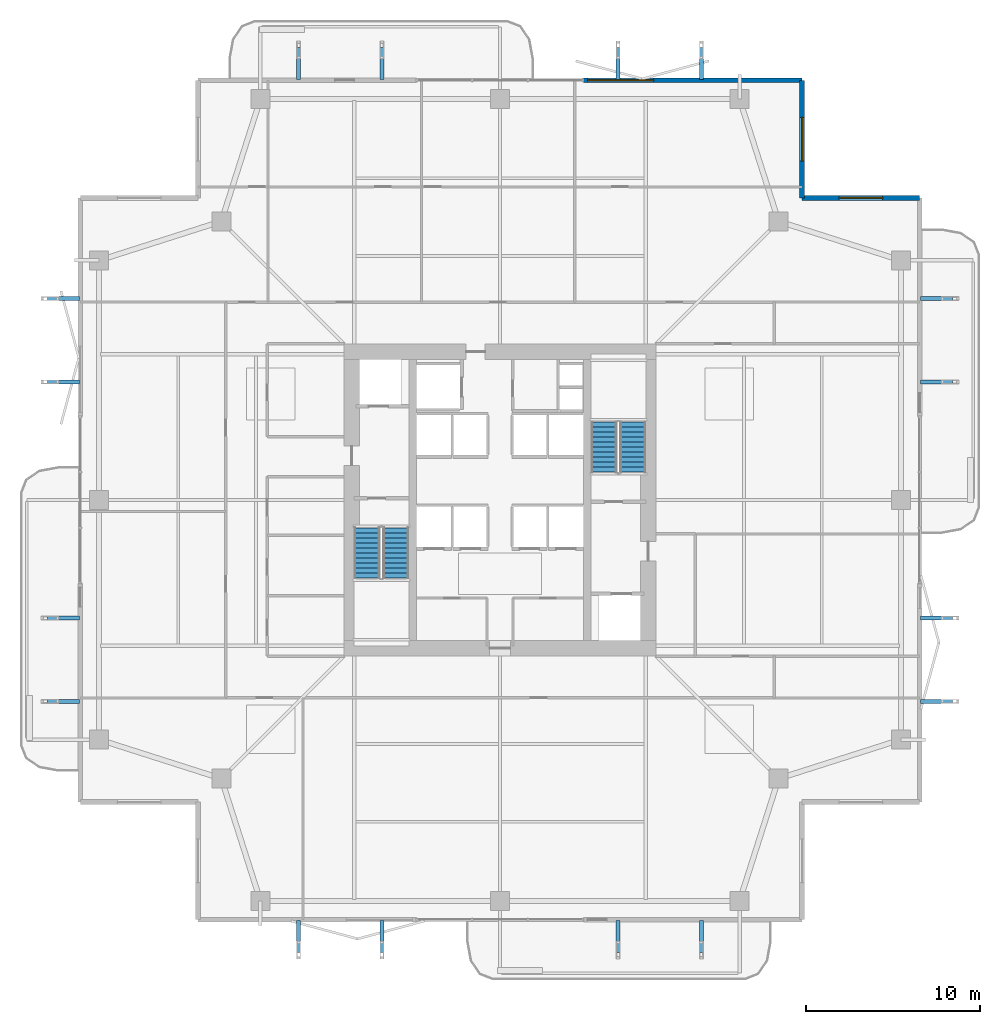
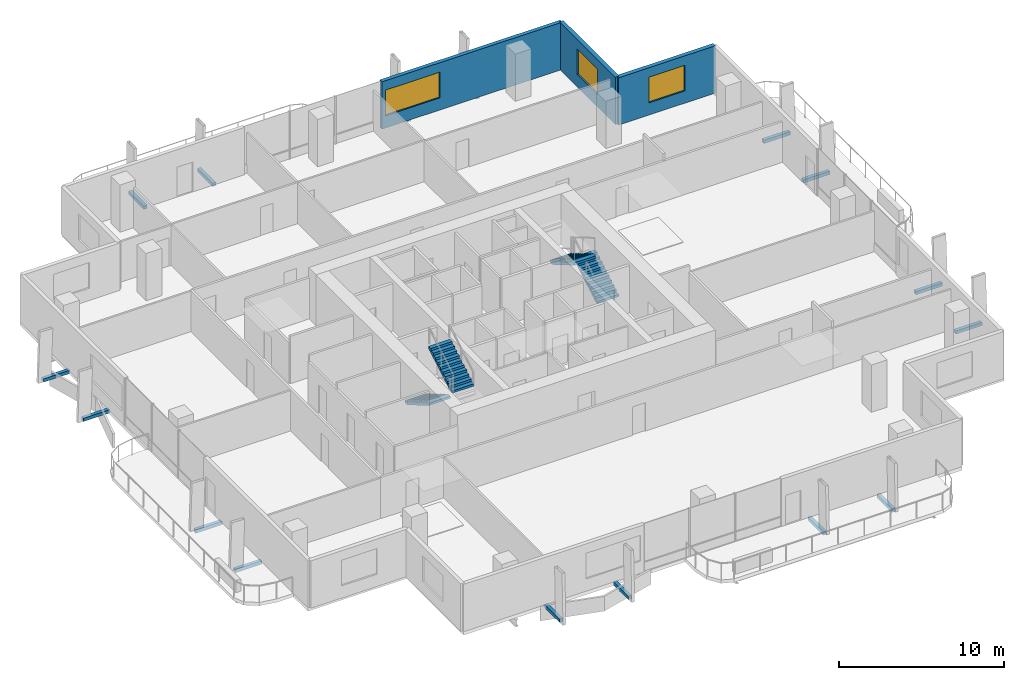
# One storey, part 21 of 24: 16 discrete accessories, 4 stair flights, 3 walls, 3 windows, 3 openings, 2 elements without a shape of their own.
"""IFC4 building model written with IfcOpenShell, lengths in metres."""

from ifc_helpers import new_model, si_unit, direction, frame, frame_2d, origin, origin_2d, place, context, subcontext, project, spatial, polyline, rectangle, outline, extrude, material, layer, layer_set, type_object, element, fill, aggregate, save


model = new_model("IFC4")

# Units and contexts
model_context = context("Model", 3, precision=1e-05, world=origin(), true_north=direction((0.0, 1.0)))
body_context = subcontext(model_context, "Body", "Model", "MODEL_VIEW")
ifc_project = project(units=[si_unit("LENGTHUNIT", "METRE"), si_unit("AREAUNIT", "SQUARE_METRE"), si_unit("VOLUMEUNIT", "CUBIC_METRE"), si_unit("PLANEANGLEUNIT", "RADIAN"), si_unit("MASSUNIT", "GRAM", prefix="KILO")], contexts=[model_context])

# Site, building, storey
site_placement = place(None, origin())
site = spatial("IfcSite", under=ifc_project, at=site_placement, CompositionType="ELEMENT")
building_placement = place(site_placement, origin())
building = spatial("IfcBuilding", under=site, at=building_placement, Name="Belovzor Exchange Tower", CompositionType="ELEMENT")
storey_placement = place(building_placement, frame((0.0, 0.0, 145.800048828125)))
storey = spatial("IfcBuildingStorey", under=building, at=storey_placement, Name="L35", CompositionType="ELEMENT", Elevation=145.800048828125)

# Wall, opening, window
ifc_material_1 = material(Name="Precast concrete C40/50", Category="concrete")
ifc_layer_1 = layer(ifc_material_1, 0.280029296875)
ifc_layer_set_1 = layer_set([ifc_layer_1], Name="Precast concrete C40/50")
wall_type_1 = type_object("IfcWallType", Name="Precast Concrete Notched Corner Frame Wall 280", PredefinedType="SOLIDWALL", material=ifc_layer_set_1)
wall_1_placement = place(storey_placement, frame((46.199951171875, 52.969970703125, 0.0), z_axis=(0.0, 0.0, 1.0), x_axis=(0.0, -1.0, 0.0)))
wall_1 = element("IfcWall", 1, at=wall_1_placement, inside=storey, type_object=wall_type_1, Name="W-CRN280 Precast Concrete Notched Corner Frame Wall 280 L35", PredefinedType="SOLIDWALL", context=body_context, shape_type="SweptSolid", body=[
    extrude(rectangle(XDim=6.77001953125, YDim=0.280029296875, at=frame_2d((3.385009765625, 0.0))), origin(), (0.0, 0.0, 1.0), 3.494873046875),
])
opening_1_placement = place(wall_1_placement, frame((2.135009765625, 0.0, 0.89990234375)))
opening_1 = element("IfcOpeningElement", 2, at=opening_1_placement, cuts=wall_1, Name="Opening WN-CRN250", PredefinedType="OPENING", context=body_context, shape_type="SweptSolid", body=[
    extrude(rectangle(XDim=2.5, YDim=1.89990234375, at=frame_2d((1.25, 0.949951171875))), frame((0.0, 0.14990234375, 0.0), z_axis=(0.0, -1.0, 0.0), x_axis=(1.0, 0.0, 0.0)), (0.0, 0.0, 1.0), 0.300048828125),
])
ifc_material_2 = material(Name="Thermally Broken Aluminium and Triple Glazing", Category="aluminium")
window_type_1 = type_object("IfcWindowType", Name="Streamline Moderne Corner Wrap Ribbon Window 2500x1900", PartitioningType="SINGLE_PANEL", PredefinedType="WINDOW", material=ifc_material_2)
window_1_placement = place(opening_1_placement, origin())
window_1 = element("IfcWindow", 3, at=window_1_placement, inside=storey, type_object=window_type_1, Name="WN-CRN250 Streamline Moderne Corner Wrap Ribbon Window 2500x1900", OverallHeight=1.89990234375, OverallWidth=2.5, PartitioningType="SINGLE_PANEL", PredefinedType="WINDOW", context=body_context, shape_type="SweptSolid", body=[
    extrude(rectangle(XDim=2.5, YDim=1.89990234375, at=frame_2d((1.25, 0.949951171875))), frame((0.0, 0.030029296875, 0.0), z_axis=(0.0, -1.0, 0.0), x_axis=(1.0, 0.0, 0.0)), (0.0, 0.0, 1.0), 0.06005859375),
])
fill(opening_1, window_1)

wall_2_placement = place(storey_placement, frame((46.199951171875, 46.199951171875, 0.0), z_axis=(0.0, 0.0, 1.0), x_axis=(1.0, 0.0, 0.0)))
wall_2 = element("IfcWall", 4, at=wall_2_placement, inside=storey, type_object=wall_type_1, Name="W-CRN280 Precast Concrete Notched Corner Frame Wall 280 L35", PredefinedType="SOLIDWALL", context=body_context, shape_type="SweptSolid", body=[
    extrude(rectangle(XDim=6.77001953125, YDim=0.280029296875, at=frame_2d((3.385009765625, 0.0))), origin(), (0.0, 0.0, 1.0), 3.494873046875),
])
opening_2_placement = place(wall_2_placement, frame((2.135009765625, 0.0, 0.89990234375)))
opening_2 = element("IfcOpeningElement", 5, at=opening_2_placement, cuts=wall_2, Name="Opening WN-CRN250", PredefinedType="OPENING", context=body_context, shape_type="SweptSolid", body=[
    extrude(rectangle(XDim=2.5, YDim=1.89990234375, at=frame_2d((1.25, 0.949951171875))), frame((0.0, 0.14990234375, 0.0), z_axis=(0.0, -1.0, 0.0), x_axis=(1.0, 0.0, 0.0)), (0.0, 0.0, 1.0), 0.300048828125),
])
window_2_placement = place(opening_2_placement, origin())
window_2 = element("IfcWindow", 6, at=window_2_placement, inside=storey, type_object=window_type_1, Name="WN-CRN250 Streamline Moderne Corner Wrap Ribbon Window 2500x1900", OverallHeight=1.89990234375, OverallWidth=2.5, PartitioningType="SINGLE_PANEL", PredefinedType="WINDOW", context=body_context, shape_type="SweptSolid", body=[
    extrude(rectangle(XDim=2.5, YDim=1.89990234375, at=frame_2d((1.25, 0.949951171875))), frame((0.0, 0.030029296875, 0.0), z_axis=(0.0, -1.0, 0.0), x_axis=(1.0, 0.0, 0.0)), (0.0, 0.0, 1.0), 0.06005859375),
])
fill(opening_2, window_2)

ifc_material_3 = material(Name="Precast concrete C40/50", Category="concrete")
ifc_layer_2 = layer(ifc_material_3, 0.260009765625)
ifc_layer_set_2 = layer_set([ifc_layer_2], Name="Precast concrete C40/50")
wall_type_2 = type_object("IfcWallType", Name="Precast Concrete Perimeter Loggia Frame Wall 260", PredefinedType="SOLIDWALL", material=ifc_layer_set_2)
wall_3_placement = place(storey_placement, frame((33.60009765625, 52.969970703125, 0.0), z_axis=(0.0, 0.0, 1.0), x_axis=(1.0, 0.0, 0.0)))
wall_3 = element("IfcWall", 7, at=wall_3_placement, inside=storey, type_object=wall_type_2, Name="W-EXT260 Precast Concrete Perimeter Loggia Frame Wall 260 L35", PredefinedType="SOLIDWALL", context=body_context, shape_type="SweptSolid", body=[
    extrude(rectangle(XDim=12.599853515625, YDim=0.260009765625, at=frame_2d((6.2998046875, 0.0))), origin(), (0.0, 0.0, 1.0), 3.494873046875),
])
opening_3_placement = place(wall_3_placement, frame((0.25, 0.0, 0.89990234375)))
opening_3 = element("IfcOpeningElement", 8, at=opening_3_placement, cuts=wall_3, Name="Opening WN-RIB380", PredefinedType="OPENING", context=body_context, shape_type="SweptSolid", body=[
    extrude(rectangle(XDim=3.800048828125, YDim=1.89990234375, at=frame_2d((1.89990234375, 0.949951171875))), frame((0.0, 0.139892578125, 0.0), z_axis=(0.0, -1.0, 0.0), x_axis=(1.0, 0.0, 0.0)), (0.0, 0.0, 1.0), 0.280029296875),
])
ifc_material_4 = material(Name="Thermally Broken Aluminium and Triple Glazing", Category="aluminium")
window_type_2 = type_object("IfcWindowType", Name="Streamline Moderne Horizontal Ribbon Window 3800x1900", PartitioningType="SINGLE_PANEL", PredefinedType="WINDOW", material=ifc_material_4)
window_3_placement = place(opening_3_placement, origin())
window_3 = element("IfcWindow", 9, at=window_3_placement, inside=storey, type_object=window_type_2, Name="WN-RIB380 Streamline Moderne Horizontal Ribbon Window 3800x1900", OverallHeight=1.89990234375, OverallWidth=3.800048828125, PartitioningType="SINGLE_PANEL", PredefinedType="WINDOW", context=body_context, shape_type="SweptSolid", body=[
    extrude(rectangle(XDim=3.800048828125, YDim=1.89990234375, at=frame_2d((1.89990234375, 0.949951171875))), frame((0.0, 0.030029296875, 0.0), z_axis=(0.0, -1.0, 0.0), x_axis=(1.0, 0.0, 0.0)), (0.0, 0.0, 1.0), 0.06005859375),
])
fill(opening_3, window_3)

# Stair, stair flights
ifc_material_5 = material(Name="Concrete C40/50", Category="concrete")
stair_type = type_object("IfcStairType", Name="Reinforced Concrete Dogleg Escape Stair 1350", PredefinedType="HALF_TURN_STAIR", material=ifc_material_5)
stair_1_placement = place(storey_placement, origin())
stair_1 = element("IfcStair", 10, at=stair_1_placement, inside=storey, type_object=stair_type, Name="L35 ST-1", PredefinedType="HALF_TURN_STAIR")
ifc_material_6 = material(Name="Concrete C40/50", Category="concrete")
stair_flight_type = type_object("IfcStairFlightType", Name="Reinforced Concrete Stair Flight 1350", PredefinedType="STRAIGHT", material=ifc_material_6)
stair_flight_1_placement = place(storey_placement, frame((21.14990234375, 27.199951171875, 0.0), z_axis=(0.0, 0.0, 1.0), x_axis=(0.0, -1.0, 0.0)))
stair_flight_1 = element("IfcStairFlight", 11, at=stair_flight_1_placement, type_object=stair_flight_type, Name="ST-1 flight 1", NumberOfRisers=11, NumberOfTreads=10, PredefinedType="STRAIGHT", RiserHeight=0.170454545, TreadLength=0.29, context=body_context, shape_type="SweptSolid", body=[
    extrude(outline(polyline([(0.0, 0.0), (0.0, 0.17041015625), (0.2900390625, 0.17041015625), (0.2900390625, 0.3408203125), (0.580078125, 0.3408203125), (0.580078125, 0.511474609375), (0.8701171875, 0.511474609375), (0.8701171875, 0.681884765625), (1.159912109375, 0.681884765625), (1.159912109375, 0.852294921875), (1.449951171875, 0.852294921875), (1.449951171875, 1.022705078125), (1.739990234375, 1.022705078125), (1.739990234375, 1.193115234375), (2.030029296875, 1.193115234375), (2.030029296875, 1.363525390625), (2.320068359375, 1.363525390625), (2.320068359375, 1.5341796875), (2.610107421875, 1.5341796875), (2.610107421875, 1.70458984375), (2.89990234375, 1.70458984375), (2.89990234375, 1.875), (2.89990234375, 1.53076171875), (0.2958984375, 0.0), (0.0, 0.0)])), frame((0.0, 0.75, 0.0), z_axis=(0.0, -1.0, 0.0), x_axis=(1.0, 0.0, 0.0)), (0.0, 0.0, 1.0), 1.5),
])
stair_flight_2_placement = place(storey_placement, frame((22.800048828125, 24.300048828125, 1.875), z_axis=(0.0, 0.0, 1.0), x_axis=(0.0, 1.0, 0.0)))
stair_flight_2 = element("IfcStairFlight", 12, at=stair_flight_2_placement, type_object=stair_flight_type, Name="ST-1 flight 2", NumberOfRisers=11, NumberOfTreads=10, PredefinedType="STRAIGHT", RiserHeight=0.170454545, TreadLength=0.29, context=body_context, shape_type="SweptSolid", body=[
    extrude(outline(polyline([(0.0, 0.0), (0.0, 0.17041015625), (0.2900390625, 0.17041015625), (0.2900390625, 0.3408203125), (0.580078125, 0.3408203125), (0.580078125, 0.511474609375), (0.8701171875, 0.511474609375), (0.8701171875, 0.681884765625), (1.159912109375, 0.681884765625), (1.159912109375, 0.852294921875), (1.449951171875, 0.852294921875), (1.449951171875, 1.022705078125), (1.739990234375, 1.022705078125), (1.739990234375, 1.193115234375), (2.030029296875, 1.193115234375), (2.030029296875, 1.363525390625), (2.320068359375, 1.363525390625), (2.320068359375, 1.5341796875), (2.610107421875, 1.5341796875), (2.610107421875, 1.70458984375), (2.89990234375, 1.70458984375), (2.89990234375, 1.875), (2.89990234375, 1.53076171875), (0.2958984375, 0.0), (0.0, 0.0)])), frame((0.0, 0.75, 0.0), z_axis=(0.0, -1.0, 0.0), x_axis=(1.0, 0.0, 0.0)), (0.0, 0.0, 1.0), 1.5),
])
aggregate(stair_1, [stair_flight_1, stair_flight_2])

stair_2_placement = place(storey_placement, origin())
stair_2 = element("IfcStair", 13, at=stair_2_placement, inside=storey, type_object=stair_type, Name="L35 ST-2", PredefinedType="HALF_TURN_STAIR")
stair_flight_3_placement = place(storey_placement, frame((36.449951171875, 30.39990234375, 0.0), z_axis=(0.0, 0.0, 1.0), x_axis=(0.0, 1.0, 0.0)))
stair_flight_3 = element("IfcStairFlight", 14, at=stair_flight_3_placement, type_object=stair_flight_type, Name="ST-2 flight 1", NumberOfRisers=11, NumberOfTreads=10, PredefinedType="STRAIGHT", RiserHeight=0.170454545, TreadLength=0.29, context=body_context, shape_type="SweptSolid", body=[
    extrude(outline(polyline([(0.0, 0.0), (0.0, 0.17041015625), (0.2900390625, 0.17041015625), (0.2900390625, 0.3408203125), (0.580078125, 0.3408203125), (0.580078125, 0.511474609375), (0.8701171875, 0.511474609375), (0.8701171875, 0.681884765625), (1.159912109375, 0.681884765625), (1.159912109375, 0.852294921875), (1.449951171875, 0.852294921875), (1.449951171875, 1.022705078125), (1.739990234375, 1.022705078125), (1.739990234375, 1.193115234375), (2.030029296875, 1.193115234375), (2.030029296875, 1.363525390625), (2.320068359375, 1.363525390625), (2.320068359375, 1.5341796875), (2.610107421875, 1.5341796875), (2.610107421875, 1.70458984375), (2.89990234375, 1.70458984375), (2.89990234375, 1.875), (2.89990234375, 1.53076171875), (0.2958984375, 0.0), (0.0, 0.0)])), frame((0.0, 0.75, 0.0), z_axis=(0.0, -1.0, 0.0), x_axis=(1.0, 0.0, 0.0)), (0.0, 0.0, 1.0), 1.5),
])
stair_flight_4_placement = place(storey_placement, frame((34.800048828125, 33.300048828125, 1.875), z_axis=(0.0, 0.0, 1.0), x_axis=(0.0, -1.0, 0.0)))
stair_flight_4 = element("IfcStairFlight", 15, at=stair_flight_4_placement, type_object=stair_flight_type, Name="ST-2 flight 2", NumberOfRisers=11, NumberOfTreads=10, PredefinedType="STRAIGHT", RiserHeight=0.170454545, TreadLength=0.29, context=body_context, shape_type="SweptSolid", body=[
    extrude(outline(polyline([(0.0, 0.0), (0.0, 0.17041015625), (0.2900390625, 0.17041015625), (0.2900390625, 0.3408203125), (0.580078125, 0.3408203125), (0.580078125, 0.511474609375), (0.8701171875, 0.511474609375), (0.8701171875, 0.681884765625), (1.159912109375, 0.681884765625), (1.159912109375, 0.852294921875), (1.449951171875, 0.852294921875), (1.449951171875, 1.022705078125), (1.739990234375, 1.022705078125), (1.739990234375, 1.193115234375), (2.030029296875, 1.193115234375), (2.030029296875, 1.363525390625), (2.320068359375, 1.363525390625), (2.320068359375, 1.5341796875), (2.610107421875, 1.5341796875), (2.610107421875, 1.70458984375), (2.89990234375, 1.70458984375), (2.89990234375, 1.875), (2.89990234375, 1.53076171875), (0.2958984375, 0.0), (0.0, 0.0)])), frame((0.0, 0.75, 0.0), z_axis=(0.0, -1.0, 0.0), x_axis=(1.0, 0.0, 0.0)), (0.0, 0.0, 1.0), 1.5),
])
aggregate(stair_2, [stair_flight_3, stair_flight_4])

# Discrete accessories
ifc_material_7 = material(Name="Stainless Steel Grade 316", Category="steel")
ifc_layer_3 = layer(ifc_material_7, 0.179931640625)
ifc_layer_set_3 = layer_set([ifc_layer_3], Name="Stainless Steel Grade 316")
discrete_accessory_type = type_object("IfcDiscreteAccessoryType", Name="Stainless Steel Facade Outrigger Fixing Bracket", PredefinedType="BRACKET", material=ifc_layer_set_3)
for number, where, z_axis, x_axis, name in (
    (16, (17.199951171875, 3.658935546875, -0.2470703125), (0.0, 0.0, 1.0), (0.0, 1.0, 0.0), "BRK-FIN1 Sweeping Fin Outrigger Bracket L35 S1"),
    (17, (17.199951171875, 53.94189453125, -0.2470703125), (0.0, 0.0, 1.0), (0.0, 1.0, 0.0), "BRK-FIN1 Sweeping Fin Outrigger Bracket L35 N1"),
    (18, (3.658935546875, 17.199951171875, -0.2470703125), (0.0, 0.0, 1.0), (1.0, 0.0, 0.0), "BRK-FIN1 Sweeping Fin Outrigger Bracket L35 W1"),
    (19, (53.94189453125, 17.199951171875, -0.2470703125), (0.0, 0.0, 1.0), (1.0, 0.0, 0.0), "BRK-FIN1 Sweeping Fin Outrigger Bracket L35 E1"),
    (20, (22.0, 3.658935546875, -0.2470703125), (0.0, 0.0, 1.0), (0.0, 1.0, 0.0), "BRK-FIN1 Sweeping Fin Outrigger Bracket L35 S2"),
    (21, (22.0, 53.94189453125, -0.2470703125), (0.0, 0.0, 1.0), (0.0, 1.0, 0.0), "BRK-FIN1 Sweeping Fin Outrigger Bracket L35 N2"),
    (22, (3.658935546875, 22.0, -0.2470703125), (0.0, 0.0, 1.0), (1.0, 0.0, 0.0), "BRK-FIN1 Sweeping Fin Outrigger Bracket L35 W2"),
    (23, (53.94189453125, 22.0, -0.2470703125), (0.0, 0.0, 1.0), (1.0, 0.0, 0.0), "BRK-FIN1 Sweeping Fin Outrigger Bracket L35 E2"),
    (24, (35.60009765625, 3.658935546875, -0.2470703125), (0.0, 0.0, 1.0), (0.0, 1.0, 0.0), "BRK-FIN1 Sweeping Fin Outrigger Bracket L35 S3"),
    (25, (35.60009765625, 53.94189453125, -0.2470703125), (0.0, 0.0, 1.0), (0.0, 1.0, 0.0), "BRK-FIN1 Sweeping Fin Outrigger Bracket L35 N3"),
    (26, (3.658935546875, 35.60009765625, -0.2470703125), (0.0, 0.0, 1.0), (1.0, 0.0, 0.0), "BRK-FIN1 Sweeping Fin Outrigger Bracket L35 W3"),
    (27, (53.94189453125, 35.60009765625, -0.2470703125), (0.0, 0.0, 1.0), (1.0, 0.0, 0.0), "BRK-FIN1 Sweeping Fin Outrigger Bracket L35 E3"),
    (28, (40.39990234375, 3.658935546875, -0.2470703125), (0.0, 0.0, 1.0), (0.0, 1.0, 0.0), "BRK-FIN1 Sweeping Fin Outrigger Bracket L35 S4"),
    (29, (40.39990234375, 53.94189453125, -0.2470703125), (0.0, 0.0, 1.0), (0.0, 1.0, 0.0), "BRK-FIN1 Sweeping Fin Outrigger Bracket L35 N4"),
    (30, (3.658935546875, 40.39990234375, -0.2470703125), (0.0, 0.0, 1.0), (1.0, 0.0, 0.0), "BRK-FIN1 Sweeping Fin Outrigger Bracket L35 W4"),
    (31, (53.94189453125, 40.39990234375, -0.2470703125), (0.0, 0.0, 1.0), (1.0, 0.0, 0.0), "BRK-FIN1 Sweeping Fin Outrigger Bracket L35 E4"),
):
    element("IfcDiscreteAccessory", number, at=place(storey_placement, frame(where, z_axis=z_axis, x_axis=x_axis)), inside=storey, type_object=discrete_accessory_type, Name=name, PredefinedType="BRACKET", context=body_context, shape_type="SweptSolid", body=[
        extrude(rectangle(XDim=1.843017578125, YDim=0.239990234375, at=origin_2d()), origin(), (0.0, 0.0, 1.0), 0.239990234375),
    ])

save(model, "model.ifc")
